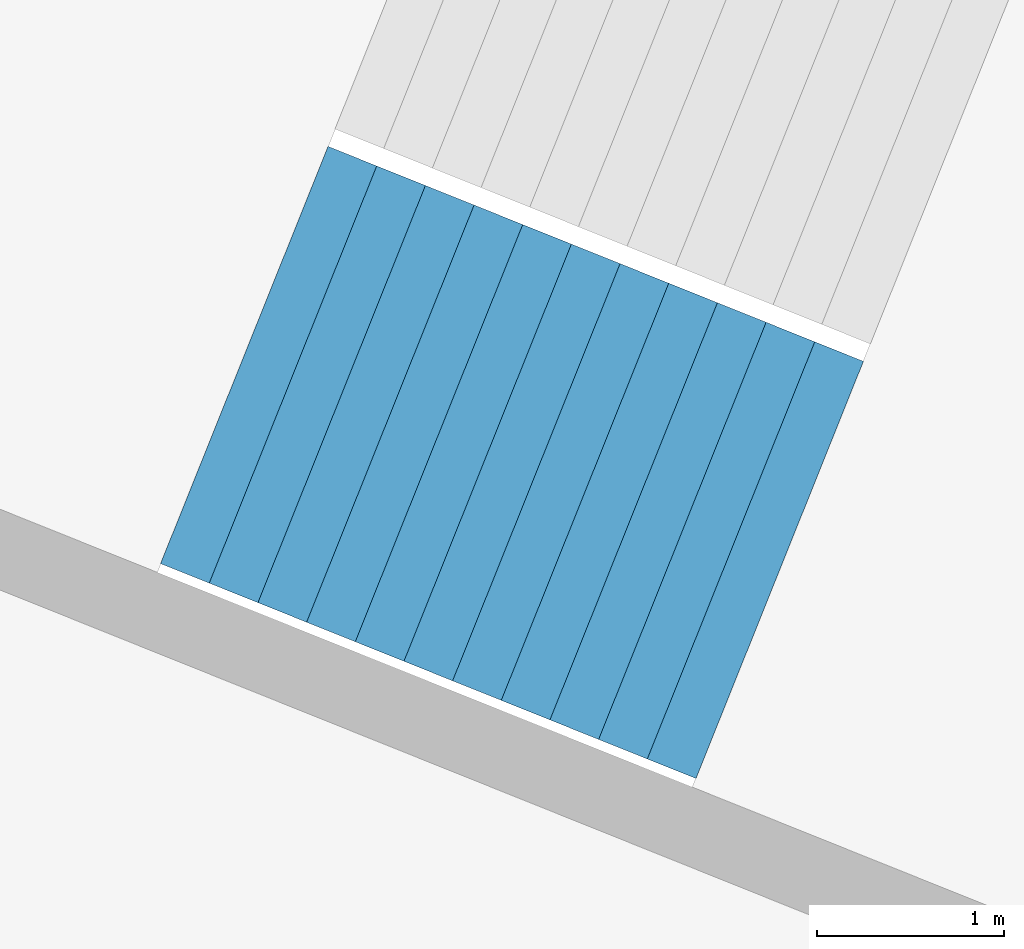
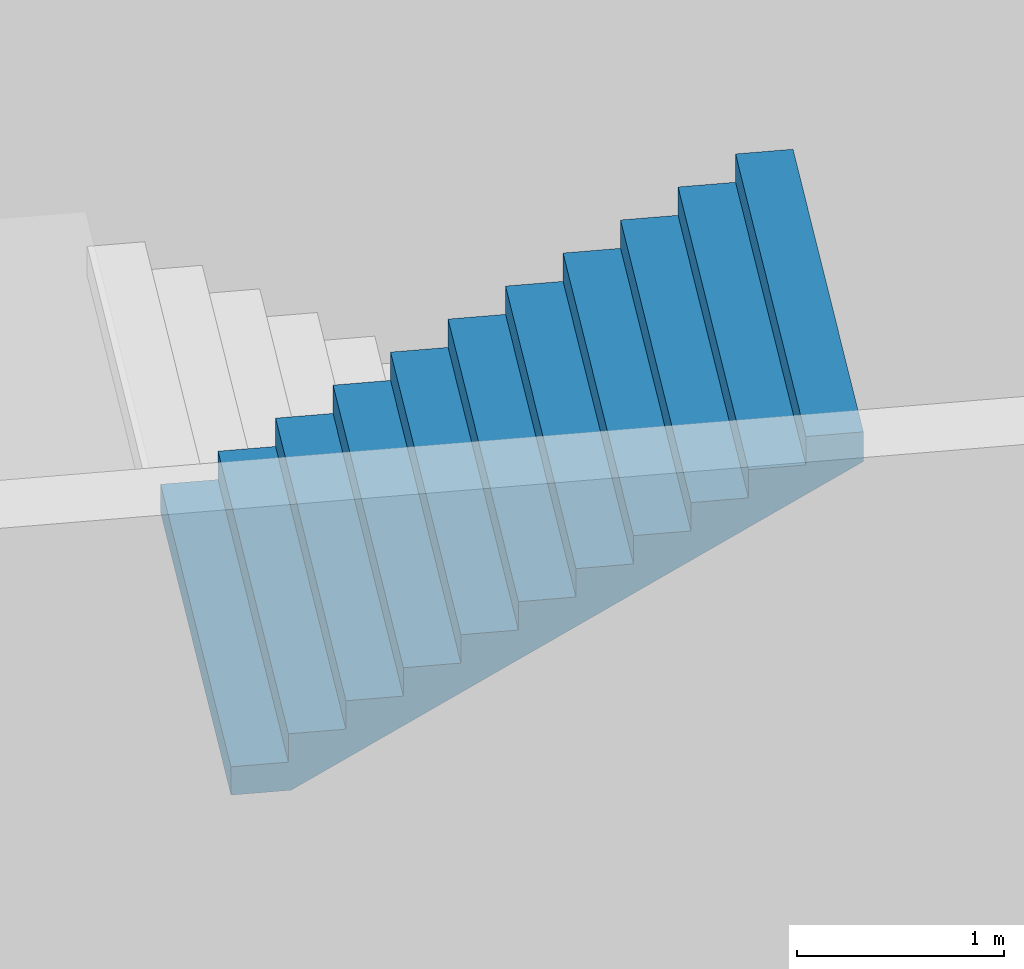
# One storey, part 35 of 74: 1 stair flight, 1 element without a shape of its own.
"""IFC4 building model written with IfcOpenShell, lengths in metres."""

from ifc_helpers import new_model, si_unit, direction, frame, origin, place, context, subcontext, project, spatial, triangles, material, type_object, element, aggregate, save


model = new_model("IFC4")

# Units and contexts
model_context = context("Model", 3, precision=1e-05, world=origin(), true_north=direction((0.0, 1.0)))
body_context = subcontext(model_context, "Body", "Model", "MODEL_VIEW")
ifc_project = project(units=[si_unit("LENGTHUNIT", "METRE"), si_unit("AREAUNIT", "SQUARE_METRE"), si_unit("VOLUMEUNIT", "CUBIC_METRE"), si_unit("PLANEANGLEUNIT", "RADIAN"), si_unit("MASSUNIT", "GRAM", prefix="KILO")], contexts=[model_context])

# Site, building, storey
site_placement = place(None, origin())
site = spatial("IfcSite", under=ifc_project, at=site_placement, CompositionType="ELEMENT")
building_placement = place(site_placement, origin())
building = spatial("IfcBuilding", under=site, at=building_placement, Name="Lantaw Convention Tower", CompositionType="ELEMENT")
storey_placement = place(building_placement, frame((0.0, 0.0, 6.5)))
storey = spatial("IfcBuildingStorey", under=building, at=storey_placement, Name="L01", CompositionType="ELEMENT", Elevation=6.5)

# Stair, stair flight
ifc_material = material(Name="Concrete C35/45", Category="concrete")
stair_type = type_object("IfcStairType", Name="Exit stair 2400 riser 166.67 in 4 flights", PredefinedType="HALF_TURN_STAIR", material=ifc_material)
stair_placement = place(storey_placement, origin())
stair = element("IfcStair", 1, at=stair_placement, inside=storey, type_object=stair_type, Name="Podium exit stair P8 L01", PredefinedType="HALF_TURN_STAIR")
stair_flight_type = type_object("IfcStairFlightType", Name="Stair flight 2400 riser 166.67", PredefinedType="STRAIGHT", material=ifc_material)
stair_flight_placement = place(storey_placement, frame((-39.589111328125, 14.545654296875, 6.0), z_axis=(0.0, 0.0, 1.0), x_axis=(0.928015168305, -0.372542410198, 0.0)))
stair_flight = element("IfcStairFlight", 2, at=stair_flight_placement, type_object=stair_flight_type, Name="P8 flight 4", NumberOfRisers=12, NumberOfTreads=11, PredefinedType="STRAIGHT", RiserHeight=0.166666667, TreadLength=0.28, context=body_context, shape_type="Tessellation", body=[
    triangles([(0.0, 1.199951171875, 0.0), (0.0, 1.199951171875, 0.166666667), (0.28, 1.199951171875, 0.0), (0.28, 1.199951171875, 0.166666667), (0.28, 1.199951171875, 0.333333334), (0.29307345806906726, 1.199951171875, 0.0), (0.29307345806906726, 1.199951171875, 0.333333334), (0.56, 1.199951171875, 0.15888484670522965), (0.56, 1.199951171875, 0.333333334), (0.56, 1.199951171875, 0.500000001), (0.8400000000000001, 1.199951171875, 0.3255515137052296), (0.8400000000000001, 1.199951171875, 0.500000001), (0.8400000000000001, 1.199951171875, 0.666666668), (1.12, 1.199951171875, 0.4922181807052296), (1.12, 1.199951171875, 0.666666668), (1.12, 1.199951171875, 0.833333335), (1.4000000000000001, 1.199951171875, 0.6588848477052296), (1.4000000000000001, 1.199951171875, 0.833333335), (1.4000000000000001, 1.199951171875, 1.000000002), (1.6800000000000002, 1.199951171875, 0.8255515147052296), (1.6800000000000002, 1.199951171875, 1.000000002), (1.6800000000000002, 1.199951171875, 1.166666669), (1.9600000000000002, 1.199951171875, 0.9922181817052296), (1.9600000000000002, 1.199951171875, 1.166666669), (1.9600000000000002, 1.199951171875, 1.333333336), (2.24, 1.199951171875, 1.1588848487052295), (2.24, 1.199951171875, 1.333333336), (2.24, 1.199951171875, 1.5000000029999998), (2.5200000000000005, 1.199951171875, 1.3255515157052296), (2.5200000000000005, 1.199951171875, 1.5000000029999998), (2.5200000000000005, 1.199951171875, 1.66666667), (2.8000000000000003, 1.199951171875, 1.4922181827052294), (2.8000000000000003, 1.199951171875, 1.66666667), (2.8000000000000003, 1.199951171875, 1.833333337), (3.08, 1.199951171875, 1.6588848497052293), (3.08, 1.199951171875, 1.833333337), (0.0, -1.199951171875, 0.0), (0.0, -1.199951171875, 0.166666667), (0.28, -1.199951171875, 0.0), (0.28, -1.199951171875, 0.166666667), (0.28, -1.199951171875, 0.333333334), (0.29307345806906726, -1.199951171875, 0.0), (0.29307345806906726, -1.199951171875, 0.333333334), (0.56, -1.199951171875, 0.15888484670522965), (0.56, -1.199951171875, 0.333333334), (0.56, -1.199951171875, 0.500000001), (0.8400000000000001, -1.199951171875, 0.3255515137052296), (0.8400000000000001, -1.199951171875, 0.500000001), (0.8400000000000001, -1.199951171875, 0.666666668), (1.12, -1.199951171875, 0.4922181807052296), (1.12, -1.199951171875, 0.666666668), (1.12, -1.199951171875, 0.833333335), (1.4000000000000001, -1.199951171875, 0.6588848477052296), (1.4000000000000001, -1.199951171875, 0.833333335), (1.4000000000000001, -1.199951171875, 1.000000002), (1.6800000000000002, -1.199951171875, 0.8255515147052296), (1.6800000000000002, -1.199951171875, 1.000000002), (1.6800000000000002, -1.199951171875, 1.166666669), (1.9600000000000002, -1.199951171875, 0.9922181817052296), (1.9600000000000002, -1.199951171875, 1.166666669), (1.9600000000000002, -1.199951171875, 1.333333336), (2.24, -1.199951171875, 1.1588848487052295), (2.24, -1.199951171875, 1.333333336), (2.24, -1.199951171875, 1.5000000029999998), (2.5200000000000005, -1.199951171875, 1.3255515157052296), (2.5200000000000005, -1.199951171875, 1.5000000029999998), (2.5200000000000005, -1.199951171875, 1.66666667), (2.8000000000000003, -1.199951171875, 1.4922181827052294), (2.8000000000000003, -1.199951171875, 1.66666667), (2.8000000000000003, -1.199951171875, 1.833333337), (3.08, -1.199951171875, 1.6588848497052293), (3.08, -1.199951171875, 1.833333337), (0.0, 0.239990234375, 0.166666667), (0.0, 0.239990234375, 0.0), (0.0, 0.1199951171875, 0.166666667), (0.0, 0.1199951171875, 0.0), (0.0, 0.0, 0.166666667), (0.0, 0.0, 0.0), (0.0, -0.1199951171875, 0.166666667), (0.0, -0.1199951171875, 0.0), (0.0, -0.239990234375, 0.166666667), (0.0, -0.239990234375, 0.0), (0.28, 0.239990234375, 0.333333334), (0.28, 0.239990234375, 0.166666667), (0.28, 0.1199951171875, 0.333333334), (0.28, 0.1199951171875, 0.166666667), (0.28, 0.0, 0.333333334), (0.28, 0.0, 0.166666667), (0.28, -0.1199951171875, 0.333333334), (0.28, -0.1199951171875, 0.166666667), (0.28, -0.239990234375, 0.333333334), (0.28, -0.239990234375, 0.166666667), (0.56, 0.239990234375, 0.500000001), (0.56, 0.239990234375, 0.333333334), (0.56, 0.1199951171875, 0.500000001), (0.56, 0.1199951171875, 0.333333334), (0.56, 0.0, 0.500000001), (0.56, 0.0, 0.333333334), (0.56, -0.1199951171875, 0.500000001), (0.56, -0.1199951171875, 0.333333334), (0.56, -0.239990234375, 0.500000001), (0.56, -0.239990234375, 0.333333334), (0.8400000000000001, 0.239990234375, 0.666666668), (0.8400000000000001, 0.239990234375, 0.500000001), (0.8400000000000001, 0.1199951171875, 0.666666668), (0.8400000000000001, 0.1199951171875, 0.500000001), (0.8400000000000001, 0.0, 0.666666668), (0.8400000000000001, 0.0, 0.500000001), (0.8400000000000001, -0.1199951171875, 0.666666668), (0.8400000000000001, -0.1199951171875, 0.500000001), (0.8400000000000001, -0.239990234375, 0.666666668), (0.8400000000000001, -0.239990234375, 0.500000001), (1.12, 0.239990234375, 0.833333335), (1.12, 0.239990234375, 0.666666668), (1.12, 0.1199951171875, 0.833333335), (1.12, 0.1199951171875, 0.666666668), (1.12, 0.0, 0.833333335), (1.12, 0.0, 0.666666668), (1.12, -0.1199951171875, 0.833333335), (1.12, -0.1199951171875, 0.666666668), (1.12, -0.239990234375, 0.833333335), (1.12, -0.239990234375, 0.666666668), (1.4000000000000001, 0.239990234375, 1.000000002), (1.4000000000000001, 0.239990234375, 0.833333335), (1.4000000000000001, 0.1199951171875, 1.000000002), (1.4000000000000001, 0.1199951171875, 0.833333335), (1.4000000000000001, 0.0, 1.000000002), (1.4000000000000001, 0.0, 0.833333335), (1.4000000000000001, -0.1199951171875, 1.000000002), (1.4000000000000001, -0.1199951171875, 0.833333335), (1.4000000000000001, -0.239990234375, 1.000000002), (1.4000000000000001, -0.239990234375, 0.833333335), (1.6800000000000002, 0.239990234375, 1.166666669), (1.6800000000000002, 0.239990234375, 1.000000002), (1.6800000000000002, 0.1199951171875, 1.166666669), (1.6800000000000002, 0.1199951171875, 1.000000002), (1.6800000000000002, 0.0, 1.166666669), (1.6800000000000002, 0.0, 1.000000002), (1.6800000000000002, -0.1199951171875, 1.166666669), (1.6800000000000002, -0.1199951171875, 1.000000002), (1.6800000000000002, -0.239990234375, 1.166666669), (1.6800000000000002, -0.239990234375, 1.000000002), (1.9600000000000002, 0.239990234375, 1.333333336), (1.9600000000000002, 0.239990234375, 1.166666669), (1.9600000000000002, 0.1199951171875, 1.333333336), (1.9600000000000002, 0.1199951171875, 1.166666669), (1.9600000000000002, 0.0, 1.333333336), (1.9600000000000002, 0.0, 1.166666669), (1.9600000000000002, -0.1199951171875, 1.333333336), (1.9600000000000002, -0.1199951171875, 1.166666669), (1.9600000000000002, -0.239990234375, 1.333333336), (1.9600000000000002, -0.239990234375, 1.166666669), (2.24, 0.239990234375, 1.5000000029999998), (2.24, 0.239990234375, 1.333333336), (2.24, 0.1199951171875, 1.5000000029999998), (2.24, 0.1199951171875, 1.333333336), (2.24, 0.0, 1.5000000029999998), (2.24, 0.0, 1.333333336), (2.24, -0.1199951171875, 1.5000000029999998), (2.24, -0.1199951171875, 1.333333336), (2.24, -0.239990234375, 1.5000000029999998), (2.24, -0.239990234375, 1.333333336), (2.5200000000000005, 0.239990234375, 1.66666667), (2.5200000000000005, 0.239990234375, 1.5000000029999998), (2.5200000000000005, 0.1199951171875, 1.66666667), (2.5200000000000005, 0.1199951171875, 1.5000000029999998), (2.5200000000000005, 0.0, 1.66666667), (2.5200000000000005, 0.0, 1.5000000029999998), (2.5200000000000005, -0.1199951171875, 1.66666667), (2.5200000000000005, -0.1199951171875, 1.5000000029999998), (2.5200000000000005, -0.239990234375, 1.66666667), (2.5200000000000005, -0.239990234375, 1.5000000029999998), (2.8000000000000003, 0.239990234375, 1.833333337), (2.8000000000000003, 0.239990234375, 1.66666667), (2.8000000000000003, 0.1199951171875, 1.833333337), (2.8000000000000003, 0.1199951171875, 1.66666667), (2.8000000000000003, 0.0, 1.833333337), (2.8000000000000003, 0.0, 1.66666667), (2.8000000000000003, -0.1199951171875, 1.833333337), (2.8000000000000003, -0.1199951171875, 1.66666667), (2.8000000000000003, -0.239990234375, 1.833333337), (2.8000000000000003, -0.239990234375, 1.66666667), (0.29307345806906726, 0.239990234375, 0.333333334), (0.29307345806906726, 0.1199951171875, 0.333333334), (0.29307345806906726, 0.0, 0.333333334), (0.29307345806906726, -0.1199951171875, 0.333333334), (0.29307345806906726, -0.239990234375, 0.333333334), (3.08, 0.239990234375, 1.833333337), (3.08, 0.1199951171875, 1.833333337), (3.08, 0.0, 1.833333337), (3.08, -0.1199951171875, 1.833333337), (3.08, -0.239990234375, 1.833333337), (3.08, 0.239990234375, 1.6588848497052293), (3.08, 0.1199951171875, 1.6588848497052293), (3.08, 0.0, 1.6588848497052293), (3.08, -0.1199951171875, 1.6588848497052293), (3.08, -0.239990234375, 1.6588848497052293), (2.8000000000000003, 0.239990234375, 1.4922181827052294), (2.8000000000000003, 0.1199951171875, 1.4922181827052294), (2.8000000000000003, 0.0, 1.4922181827052294), (2.8000000000000003, -0.1199951171875, 1.4922181827052294), (2.8000000000000003, -0.239990234375, 1.4922181827052294), (2.5200000000000005, 0.239990234375, 1.3255515157052296), (2.5200000000000005, 0.1199951171875, 1.3255515157052296), (2.5200000000000005, 0.0, 1.3255515157052296), (2.5200000000000005, -0.1199951171875, 1.3255515157052296), (2.5200000000000005, -0.239990234375, 1.3255515157052296), (2.24, 0.239990234375, 1.1588848487052295), (2.24, 0.1199951171875, 1.1588848487052295), (2.24, 0.0, 1.1588848487052295), (2.24, -0.1199951171875, 1.1588848487052295), (2.24, -0.239990234375, 1.1588848487052295), (1.9600000000000002, 0.239990234375, 0.9922181817052296), (1.9600000000000002, 0.1199951171875, 0.9922181817052296), (1.9600000000000002, 0.0, 0.9922181817052296), (1.9600000000000002, -0.1199951171875, 0.9922181817052296), (1.9600000000000002, -0.239990234375, 0.9922181817052296), (1.6800000000000002, 0.239990234375, 0.8255515147052296), (1.6800000000000002, 0.1199951171875, 0.8255515147052296), (1.6800000000000002, 0.0, 0.8255515147052296), (1.6800000000000002, -0.1199951171875, 0.8255515147052296), (1.6800000000000002, -0.239990234375, 0.8255515147052296), (1.4000000000000001, 0.239990234375, 0.6588848477052296), (1.4000000000000001, 0.1199951171875, 0.6588848477052296), (1.4000000000000001, 0.0, 0.6588848477052296), (1.4000000000000001, -0.1199951171875, 0.6588848477052296), (1.4000000000000001, -0.239990234375, 0.6588848477052296), (1.12, 0.239990234375, 0.4922181807052296), (1.12, 0.1199951171875, 0.4922181807052296), (1.12, 0.0, 0.4922181807052296), (1.12, -0.1199951171875, 0.4922181807052296), (1.12, -0.239990234375, 0.4922181807052296), (0.8400000000000001, 0.239990234375, 0.3255515137052296), (0.8400000000000001, 0.1199951171875, 0.3255515137052296), (0.8400000000000001, 0.0, 0.3255515137052296), (0.8400000000000001, -0.1199951171875, 0.3255515137052296), (0.8400000000000001, -0.239990234375, 0.3255515137052296), (0.56, 0.239990234375, 0.15888484670522965), (0.56, 0.1199951171875, 0.15888484670522965), (0.56, 0.0, 0.15888484670522965), (0.56, -0.1199951171875, 0.15888484670522965), (0.56, -0.239990234375, 0.15888484670522965), (0.29307345806906726, 0.239990234375, 0.0), (0.29307345806906726, 0.1199951171875, 0.0), (0.29307345806906726, 0.0, 0.0), (0.29307345806906726, -0.1199951171875, 0.0), (0.29307345806906726, -0.239990234375, 0.0), (0.28, 0.239990234375, 0.0), (0.28, 0.1199951171875, 0.0), (0.28, 0.0, 0.0), (0.28, -0.1199951171875, 0.0), (0.28, -0.239990234375, 0.0)], [[1, 4, 3], [1, 2, 4], [3, 4, 6], [4, 7, 6], [4, 5, 7], [6, 9, 8], [6, 7, 9], [8, 9, 11], [9, 12, 11], [9, 10, 12], [11, 12, 14], [12, 15, 14], [12, 13, 15], [14, 15, 17], [15, 18, 17], [15, 16, 18], [17, 18, 20], [18, 21, 20], [18, 19, 21], [20, 21, 23], [21, 24, 23], [21, 22, 24], [23, 24, 26], [24, 27, 26], [24, 25, 27], [26, 27, 29], [27, 30, 29], [27, 28, 30], [29, 30, 32], [30, 33, 32], [30, 31, 33], [32, 33, 35], [33, 36, 35], [33, 34, 36], [37, 39, 40], [37, 40, 38], [39, 42, 40], [40, 42, 43], [40, 43, 41], [42, 44, 45], [42, 45, 43], [44, 47, 45], [45, 47, 48], [45, 48, 46], [47, 50, 48], [48, 50, 51], [48, 51, 49], [50, 53, 51], [51, 53, 54], [51, 54, 52], [53, 56, 54], [54, 56, 57], [54, 57, 55], [56, 59, 57], [57, 59, 60], [57, 60, 58], [59, 62, 60], [60, 62, 63], [60, 63, 61], [62, 65, 63], [63, 65, 66], [63, 66, 64], [65, 68, 66], [66, 68, 69], [66, 69, 67], [68, 71, 69], [69, 71, 72], [69, 72, 70], [1, 73, 2], [1, 74, 73], [74, 75, 73], [74, 76, 75], [76, 77, 75], [76, 78, 77], [78, 79, 77], [78, 80, 79], [80, 81, 79], [80, 82, 81], [82, 38, 81], [82, 37, 38], [4, 83, 5], [4, 84, 83], [84, 85, 83], [84, 86, 85], [86, 87, 85], [86, 88, 87], [88, 89, 87], [88, 90, 89], [90, 91, 89], [90, 92, 91], [92, 41, 91], [92, 40, 41], [9, 93, 10], [9, 94, 93], [94, 95, 93], [94, 96, 95], [96, 97, 95], [96, 98, 97], [98, 99, 97], [98, 100, 99], [100, 101, 99], [100, 102, 101], [102, 46, 101], [102, 45, 46], [12, 103, 13], [12, 104, 103], [104, 105, 103], [104, 106, 105], [106, 107, 105], [106, 108, 107], [108, 109, 107], [108, 110, 109], [110, 111, 109], [110, 112, 111], [112, 49, 111], [112, 48, 49], [15, 113, 16], [15, 114, 113], [114, 115, 113], [114, 116, 115], [116, 117, 115], [116, 118, 117], [118, 119, 117], [118, 120, 119], [120, 121, 119], [120, 122, 121], [122, 52, 121], [122, 51, 52], [18, 123, 19], [18, 124, 123], [124, 125, 123], [124, 126, 125], [126, 127, 125], [126, 128, 127], [128, 129, 127], [128, 130, 129], [130, 131, 129], [130, 132, 131], [132, 55, 131], [132, 54, 55], [21, 133, 22], [21, 134, 133], [134, 135, 133], [134, 136, 135], [136, 137, 135], [136, 138, 137], [138, 139, 137], [138, 140, 139], [140, 141, 139], [140, 142, 141], [142, 58, 141], [142, 57, 58], [24, 143, 25], [24, 144, 143], [144, 145, 143], [144, 146, 145], [146, 147, 145], [146, 148, 147], [148, 149, 147], [148, 150, 149], [150, 151, 149], [150, 152, 151], [152, 61, 151], [152, 60, 61], [27, 153, 28], [27, 154, 153], [154, 155, 153], [154, 156, 155], [156, 157, 155], [156, 158, 157], [158, 159, 157], [158, 160, 159], [160, 161, 159], [160, 162, 161], [162, 64, 161], [162, 63, 64], [30, 163, 31], [30, 164, 163], [164, 165, 163], [164, 166, 165], [166, 167, 165], [166, 168, 167], [168, 169, 167], [168, 170, 169], [170, 171, 169], [170, 172, 171], [172, 67, 171], [172, 66, 67], [33, 173, 34], [33, 174, 173], [174, 175, 173], [174, 176, 175], [176, 177, 175], [176, 178, 177], [178, 179, 177], [178, 180, 179], [180, 181, 179], [180, 182, 181], [182, 70, 181], [182, 69, 70], [2, 84, 4], [2, 73, 84], [73, 86, 84], [73, 75, 86], [75, 88, 86], [75, 77, 88], [77, 90, 88], [77, 79, 90], [79, 92, 90], [79, 81, 92], [81, 40, 92], [81, 38, 40], [5, 183, 7], [5, 83, 183], [83, 184, 183], [83, 85, 184], [85, 185, 184], [85, 87, 185], [87, 186, 185], [87, 89, 186], [89, 187, 186], [89, 91, 187], [91, 43, 187], [91, 41, 43], [7, 94, 9], [7, 183, 94], [183, 96, 94], [183, 184, 96], [184, 98, 96], [184, 185, 98], [185, 100, 98], [185, 186, 100], [186, 102, 100], [186, 187, 102], [187, 45, 102], [187, 43, 45], [10, 104, 12], [10, 93, 104], [93, 106, 104], [93, 95, 106], [95, 108, 106], [95, 97, 108], [97, 110, 108], [97, 99, 110], [99, 112, 110], [99, 101, 112], [101, 48, 112], [101, 46, 48], [13, 114, 15], [13, 103, 114], [103, 116, 114], [103, 105, 116], [105, 118, 116], [105, 107, 118], [107, 120, 118], [107, 109, 120], [109, 122, 120], [109, 111, 122], [111, 51, 122], [111, 49, 51], [16, 124, 18], [16, 113, 124], [113, 126, 124], [113, 115, 126], [115, 128, 126], [115, 117, 128], [117, 130, 128], [117, 119, 130], [119, 132, 130], [119, 121, 132], [121, 54, 132], [121, 52, 54], [19, 134, 21], [19, 123, 134], [123, 136, 134], [123, 125, 136], [125, 138, 136], [125, 127, 138], [127, 140, 138], [127, 129, 140], [129, 142, 140], [129, 131, 142], [131, 57, 142], [131, 55, 57], [22, 144, 24], [22, 133, 144], [133, 146, 144], [133, 135, 146], [135, 148, 146], [135, 137, 148], [137, 150, 148], [137, 139, 150], [139, 152, 150], [139, 141, 152], [141, 60, 152], [141, 58, 60], [25, 154, 27], [25, 143, 154], [143, 156, 154], [143, 145, 156], [145, 158, 156], [145, 147, 158], [147, 160, 158], [147, 149, 160], [149, 162, 160], [149, 151, 162], [151, 63, 162], [151, 61, 63], [28, 164, 30], [28, 153, 164], [153, 166, 164], [153, 155, 166], [155, 168, 166], [155, 157, 168], [157, 170, 168], [157, 159, 170], [159, 172, 170], [159, 161, 172], [161, 66, 172], [161, 64, 66], [31, 174, 33], [31, 163, 174], [163, 176, 174], [163, 165, 176], [165, 178, 176], [165, 167, 178], [167, 180, 178], [167, 169, 180], [169, 182, 180], [169, 171, 182], [171, 69, 182], [171, 67, 69], [34, 188, 36], [34, 173, 188], [173, 189, 188], [173, 175, 189], [175, 190, 189], [175, 177, 190], [177, 191, 190], [177, 179, 191], [179, 192, 191], [179, 181, 192], [181, 72, 192], [181, 70, 72], [36, 193, 35], [36, 188, 193], [188, 194, 193], [188, 189, 194], [189, 195, 194], [189, 190, 195], [190, 196, 195], [190, 191, 196], [191, 197, 196], [191, 192, 197], [192, 71, 197], [192, 72, 71], [35, 198, 32], [35, 193, 198], [193, 199, 198], [193, 194, 199], [194, 200, 199], [194, 195, 200], [195, 201, 200], [195, 196, 201], [196, 202, 201], [196, 197, 202], [197, 68, 202], [197, 71, 68], [32, 203, 29], [32, 198, 203], [198, 204, 203], [198, 199, 204], [199, 205, 204], [199, 200, 205], [200, 206, 205], [200, 201, 206], [201, 207, 206], [201, 202, 207], [202, 65, 207], [202, 68, 65], [29, 208, 26], [29, 203, 208], [203, 209, 208], [203, 204, 209], [204, 210, 209], [204, 205, 210], [205, 211, 210], [205, 206, 211], [206, 212, 211], [206, 207, 212], [207, 62, 212], [207, 65, 62], [26, 213, 23], [26, 208, 213], [208, 214, 213], [208, 209, 214], [209, 215, 214], [209, 210, 215], [210, 216, 215], [210, 211, 216], [211, 217, 216], [211, 212, 217], [212, 59, 217], [212, 62, 59], [23, 218, 20], [23, 213, 218], [213, 219, 218], [213, 214, 219], [214, 220, 219], [214, 215, 220], [215, 221, 220], [215, 216, 221], [216, 222, 221], [216, 217, 222], [217, 56, 222], [217, 59, 56], [20, 223, 17], [20, 218, 223], [218, 224, 223], [218, 219, 224], [219, 225, 224], [219, 220, 225], [220, 226, 225], [220, 221, 226], [221, 227, 226], [221, 222, 227], [222, 53, 227], [222, 56, 53], [17, 228, 14], [17, 223, 228], [223, 229, 228], [223, 224, 229], [224, 230, 229], [224, 225, 230], [225, 231, 230], [225, 226, 231], [226, 232, 231], [226, 227, 232], [227, 50, 232], [227, 53, 50], [14, 233, 11], [14, 228, 233], [228, 234, 233], [228, 229, 234], [229, 235, 234], [229, 230, 235], [230, 236, 235], [230, 231, 236], [231, 237, 236], [231, 232, 237], [232, 47, 237], [232, 50, 47], [11, 238, 8], [11, 233, 238], [233, 239, 238], [233, 234, 239], [234, 240, 239], [234, 235, 240], [235, 241, 240], [235, 236, 241], [236, 242, 241], [236, 237, 242], [237, 44, 242], [237, 47, 44], [8, 243, 6], [8, 238, 243], [238, 244, 243], [238, 239, 244], [239, 245, 244], [239, 240, 245], [240, 246, 245], [240, 241, 246], [241, 247, 246], [241, 242, 247], [242, 42, 247], [242, 44, 42], [6, 248, 3], [6, 243, 248], [243, 249, 248], [243, 244, 249], [244, 250, 249], [244, 245, 250], [245, 251, 250], [245, 246, 251], [246, 252, 251], [246, 247, 252], [247, 39, 252], [247, 42, 39], [3, 74, 1], [3, 248, 74], [248, 76, 74], [248, 249, 76], [249, 78, 76], [249, 250, 78], [250, 80, 78], [250, 251, 80], [251, 82, 80], [251, 252, 82], [252, 37, 82], [252, 39, 37]], closed=True),
])
aggregate(stair, [stair_flight])

save(model, "model.ifc")
